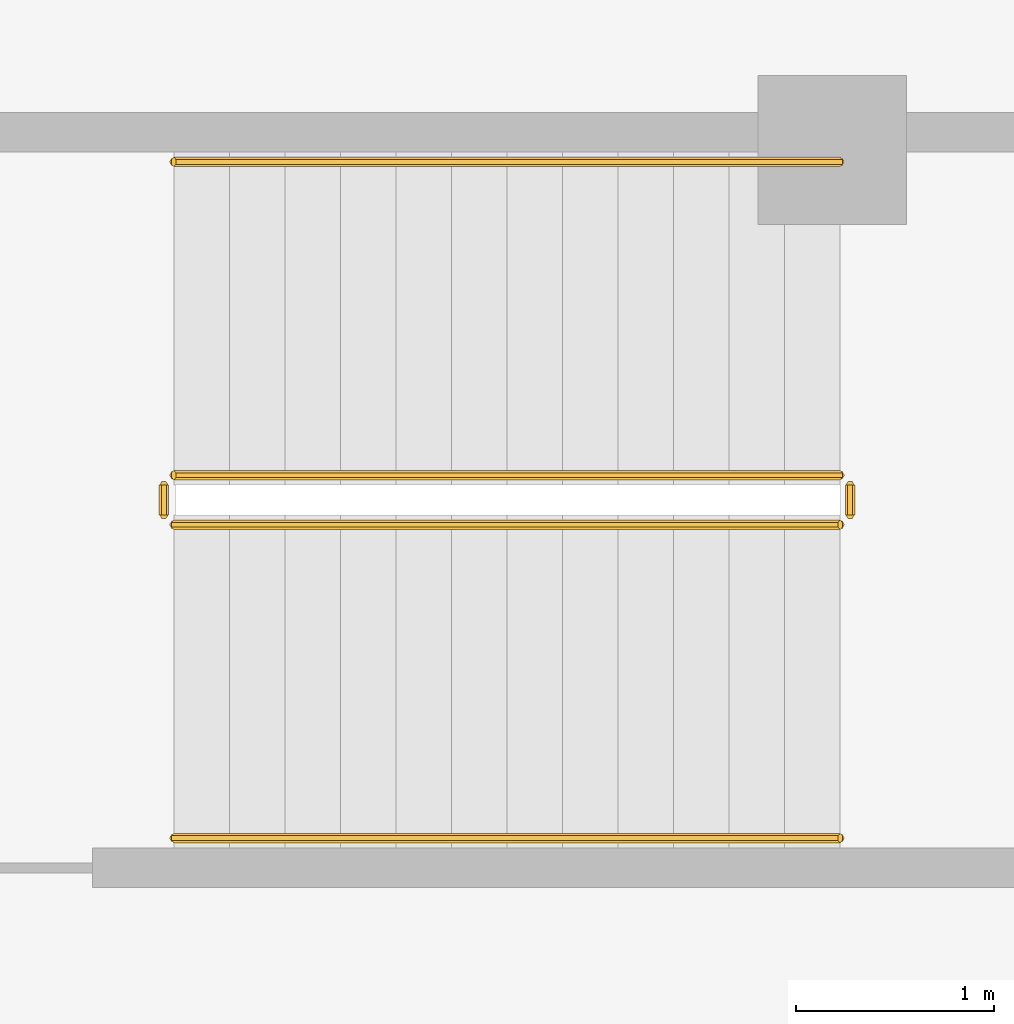
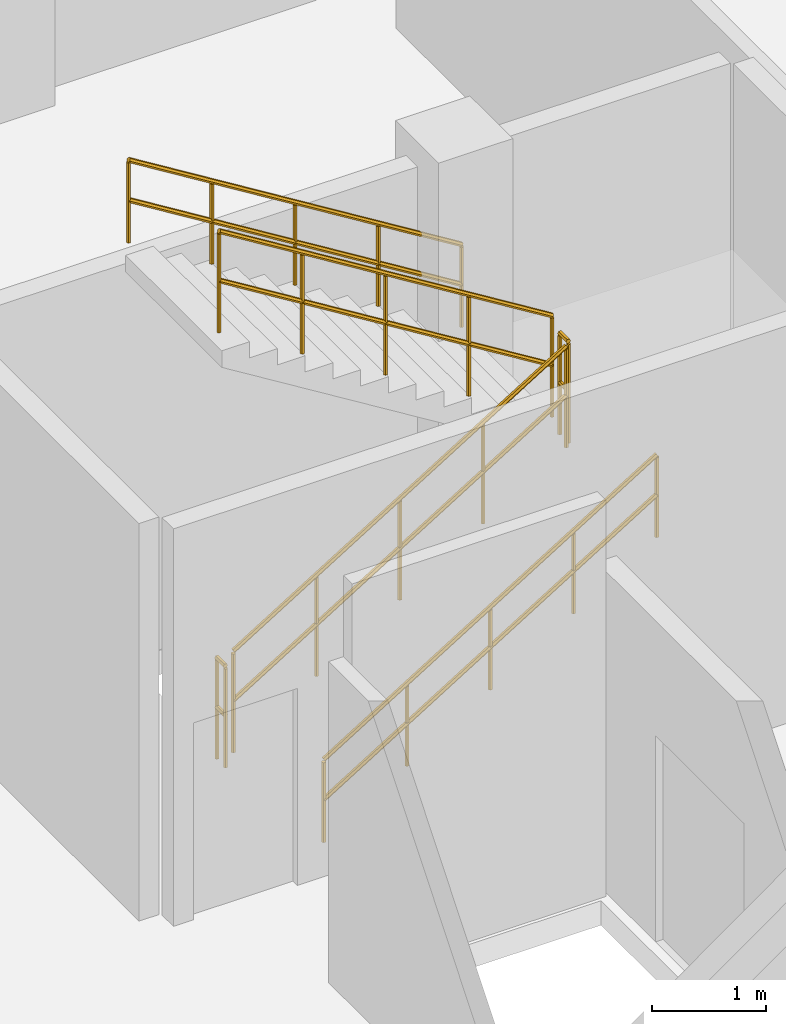
# One storey, part 52 of 53: 6 railings.
"""IFC4 building model written with IfcOpenShell, lengths in metres."""

from ifc_helpers import new_model, si_unit, direction, frame, origin, place, context, subcontext, project, spatial, polyline, outline, extrude, material, type_object, element, save


model = new_model("IFC4")

# Units and contexts
model_context = context("Model", 3, precision=1e-05, world=origin(), true_north=direction((0.0, 1.0)))
body_context = subcontext(model_context, "Body", "Model", "MODEL_VIEW")
ifc_project = project(units=[si_unit("LENGTHUNIT", "METRE"), si_unit("AREAUNIT", "SQUARE_METRE"), si_unit("VOLUMEUNIT", "CUBIC_METRE"), si_unit("PLANEANGLEUNIT", "RADIAN"), si_unit("MASSUNIT", "GRAM", prefix="KILO")], contexts=[model_context])

# Site, building, storey
site_placement = place(None, origin())
site = spatial("IfcSite", under=ifc_project, at=site_placement, CompositionType="ELEMENT")
building_placement = place(site_placement, origin())
building = spatial("IfcBuilding", under=site, at=building_placement, Name="Kelanora Arch Commons", CompositionType="ELEMENT")
storey_placement = place(building_placement, frame((0.0, 0.0, 9.0)))
storey = spatial("IfcBuildingStorey", under=building, at=storey_placement, Name="L02", CompositionType="ELEMENT", Elevation=9.0)

# Railings
ifc_material_1 = material(Name="Painted steel stair well guard", Category="steel")
railing_type_1 = type_object("IfcRailingType", Name="RAIL-STAIR-GRD", PredefinedType="GUARDRAIL", material=ifc_material_1)
railing_1_placement = place(storey_placement, frame((8.679931640625, 72.110107421875, 0.173095703125)))
element("IfcRailing", 1, at=railing_1_placement, inside=storey, type_object=railing_type_1, Name="L02 ST-M3 stair guard 1", PredefinedType="GUARDRAIL", context=body_context, shape_type="SweptSolid", body=[
    extrude(outline(polyline([(0.02392578125, 0.0), (0.011962890625, 0.020751953125), (-0.011962890625, 0.020751953125), (-0.02392578125, 0.0), (-0.011962890625, -0.020751953125), (0.011962890625, -0.020751953125), (0.02392578125, 0.0)])), frame((0.0, 0.0, 1.076171875), z_axis=(0.850623216509, 0.0, 0.525775754039), x_axis=(0.0, 1.0, 0.0)), (0.0, 0.0, 1.0), 3.9501953125),
    extrude(outline(polyline([(0.02392578125, 0.0), (0.011962890625, 0.020751953125), (-0.011962890625, 0.020751953125), (-0.02392578125, 0.0), (-0.011962890625, -0.020751953125), (0.011962890625, -0.020751953125), (0.02392578125, 0.0)])), frame((0.0, 0.0, 0.550048828125), z_axis=(0.850623216509, 0.0, 0.525775754039), x_axis=(0.0, 1.0, 0.0)), (0.0, 0.0, 1.0), 3.9501953125),
    extrude(outline(polyline([(0.02099609375, 0.0), (0.010498046875, 0.01806640625), (-0.010498046875, 0.01806640625), (-0.02099609375, 0.0), (-0.010498046875, -0.01806640625), (0.010498046875, -0.01806640625), (0.02099609375, 0.0)])), origin(), (0.0, 0.0, 1.0), 1.052001953125),
    extrude(outline(polyline([(0.02099609375, 0.0), (0.010498046875, 0.01806640625), (-0.010498046875, 0.01806640625), (-0.02099609375, 0.0), (-0.010498046875, -0.01806640625), (0.010498046875, -0.01806640625), (0.02099609375, 0.0)])), frame((0.840087890625, 0.0, 0.519287109375)), (0.0, 0.0, 1.0), 1.052001953125),
    extrude(outline(polyline([(0.02099609375, 0.0), (0.010498046875, 0.01806640625), (-0.010498046875, 0.01806640625), (-0.02099609375, 0.0), (-0.010498046875, -0.01806640625), (0.010498046875, -0.01806640625), (0.02099609375, 0.0)])), frame((1.68017578125, 0.0, 1.03857421875)), (0.0, 0.0, 1.0), 1.052001953125),
    extrude(outline(polyline([(0.02099609375, 0.0), (0.010498046875, 0.01806640625), (-0.010498046875, 0.01806640625), (-0.02099609375, 0.0), (-0.010498046875, -0.01806640625), (0.010498046875, -0.01806640625), (0.02099609375, 0.0)])), frame((2.52001953125, 0.0, 1.5576171875)), (0.0, 0.0, 1.0), 1.052001953125),
    extrude(outline(polyline([(0.02099609375, 0.0), (0.010498046875, 0.01806640625), (-0.010498046875, 0.01806640625), (-0.02099609375, 0.0), (-0.010498046875, -0.01806640625), (0.010498046875, -0.01806640625), (0.02099609375, 0.0)])), frame((3.360107421875, 0.0, 2.076904296875)), (0.0, 0.0, 1.0), 1.052001953125),
])
railing_2_placement = place(storey_placement, frame((12.090087890625, 72.159912109375, 2.25)))
element("IfcRailing", 2, at=railing_2_placement, inside=storey, type_object=railing_type_1, Name="L02 ST-M3 stair guard 2", PredefinedType="GUARDRAIL", context=body_context, shape_type="SweptSolid", body=[
    extrude(outline(polyline([(0.02392578125, 0.0), (0.011962890625, 0.020751953125), (-0.011962890625, 0.020751953125), (-0.02392578125, 0.0), (-0.011962890625, -0.020751953125), (0.011962890625, -0.020751953125), (0.02392578125, 0.0)])), frame((0.0, 0.0, 1.076171875), z_axis=(0.0, 1.0, 0.0), x_axis=(-1.0, 0.0, 0.0)), (0.0, 0.0, 1.0), 0.150146484375),
    extrude(outline(polyline([(0.02392578125, 0.0), (0.011962890625, 0.020751953125), (-0.011962890625, 0.020751953125), (-0.02392578125, 0.0), (-0.011962890625, -0.020751953125), (0.011962890625, -0.020751953125), (0.02392578125, 0.0)])), frame((0.0, 0.0, 0.550048828125), z_axis=(0.0, 1.0, 0.0), x_axis=(-1.0, 0.0, 0.0)), (0.0, 0.0, 1.0), 0.150146484375),
    extrude(outline(polyline([(0.02099609375, 0.0), (0.010498046875, 0.01806640625), (-0.010498046875, 0.01806640625), (-0.02099609375, 0.0), (-0.010498046875, -0.01806640625), (0.010498046875, -0.01806640625), (0.02099609375, 0.0)])), origin(), (0.0, 0.0, 1.0), 1.052001953125),
    extrude(outline(polyline([(0.02099609375, 0.0), (0.010498046875, 0.01806640625), (-0.010498046875, 0.01806640625), (-0.02099609375, 0.0), (-0.010498046875, -0.01806640625), (0.010498046875, -0.01806640625), (0.02099609375, 0.0)])), frame((0.0, 0.150146484375, 0.0)), (0.0, 0.0, 1.0), 1.052001953125),
])
railing_3_placement = place(storey_placement, frame((12.0400390625, 72.360107421875, 2.423095703125)))
element("IfcRailing", 3, at=railing_3_placement, inside=storey, type_object=railing_type_1, Name="L02 ST-M3 stair guard 3", PredefinedType="GUARDRAIL", context=body_context, shape_type="SweptSolid", body=[
    extrude(outline(polyline([(0.02392578125, 0.0), (0.011962890625, 0.020751953125), (-0.011962890625, 0.020751953125), (-0.02392578125, 0.0), (-0.011962890625, -0.020751953125), (0.011962890625, -0.020751953125), (0.02392578125, 0.0)])), frame((0.0, 0.0, 1.076171875), z_axis=(-0.850623216509, 0.0, 0.525775754039), x_axis=(0.0, -1.0, 0.0)), (0.0, 0.0, 1.0), 3.9501953125),
    extrude(outline(polyline([(0.02392578125, 0.0), (0.011962890625, 0.020751953125), (-0.011962890625, 0.020751953125), (-0.02392578125, 0.0), (-0.011962890625, -0.020751953125), (0.011962890625, -0.020751953125), (0.02392578125, 0.0)])), frame((0.0, 0.0, 0.550048828125), z_axis=(-0.850623216509, 0.0, 0.525775754039), x_axis=(0.0, -1.0, 0.0)), (0.0, 0.0, 1.0), 3.9501953125),
    extrude(outline(polyline([(0.02099609375, 0.0), (0.010498046875, 0.01806640625), (-0.010498046875, 0.01806640625), (-0.02099609375, 0.0), (-0.010498046875, -0.01806640625), (0.010498046875, -0.01806640625), (0.02099609375, 0.0)])), origin(), (0.0, 0.0, 1.0), 1.052001953125),
    extrude(outline(polyline([(0.02099609375, 0.0), (0.010498046875, 0.01806640625), (-0.010498046875, 0.01806640625), (-0.02099609375, 0.0), (-0.010498046875, -0.01806640625), (0.010498046875, -0.01806640625), (0.02099609375, 0.0)])), frame((-0.840087890625, 0.0, 0.519287109375)), (0.0, 0.0, 1.0), 1.052001953125),
    extrude(outline(polyline([(0.02099609375, 0.0), (0.010498046875, 0.01806640625), (-0.010498046875, 0.01806640625), (-0.02099609375, 0.0), (-0.010498046875, -0.01806640625), (0.010498046875, -0.01806640625), (0.02099609375, 0.0)])), frame((-1.68017578125, 0.0, 1.03857421875)), (0.0, 0.0, 1.0), 1.052001953125),
    extrude(outline(polyline([(0.02099609375, 0.0), (0.010498046875, 0.01806640625), (-0.010498046875, 0.01806640625), (-0.02099609375, 0.0), (-0.010498046875, -0.01806640625), (0.010498046875, -0.01806640625), (0.02099609375, 0.0)])), frame((-2.52001953125, 0.0, 1.5576171875)), (0.0, 0.0, 1.0), 1.052001953125),
    extrude(outline(polyline([(0.02099609375, 0.0), (0.010498046875, 0.01806640625), (-0.010498046875, 0.01806640625), (-0.02099609375, 0.0), (-0.010498046875, -0.01806640625), (0.010498046875, -0.01806640625), (0.02099609375, 0.0)])), frame((-3.360107421875, 0.0, 2.076904296875)), (0.0, 0.0, 1.0), 1.052001953125),
])
railing_4_placement = place(storey_placement, frame((8.6298828125, 72.159912109375, 0.0)))
element("IfcRailing", 4, at=railing_4_placement, inside=storey, type_object=railing_type_1, Name="L02 ST-M3 stair guard 4", PredefinedType="GUARDRAIL", context=body_context, shape_type="SweptSolid", body=[
    extrude(outline(polyline([(0.02392578125, 0.0), (0.011962890625, 0.020751953125), (-0.011962890625, 0.020751953125), (-0.02392578125, 0.0), (-0.011962890625, -0.020751953125), (0.011962890625, -0.020751953125), (0.02392578125, 0.0)])), frame((0.0, 0.0, 1.076171875), z_axis=(0.0, 1.0, 0.0), x_axis=(-1.0, 0.0, 0.0)), (0.0, 0.0, 1.0), 0.150146484375),
    extrude(outline(polyline([(0.02392578125, 0.0), (0.011962890625, 0.020751953125), (-0.011962890625, 0.020751953125), (-0.02392578125, 0.0), (-0.011962890625, -0.020751953125), (0.011962890625, -0.020751953125), (0.02392578125, 0.0)])), frame((0.0, 0.0, 0.550048828125), z_axis=(0.0, 1.0, 0.0), x_axis=(-1.0, 0.0, 0.0)), (0.0, 0.0, 1.0), 0.150146484375),
    extrude(outline(polyline([(0.02099609375, 0.0), (0.010498046875, 0.01806640625), (-0.010498046875, 0.01806640625), (-0.02099609375, 0.0), (-0.010498046875, -0.01806640625), (0.010498046875, -0.01806640625), (0.02099609375, 0.0)])), origin(), (0.0, 0.0, 1.0), 1.052001953125),
    extrude(outline(polyline([(0.02099609375, 0.0), (0.010498046875, 0.01806640625), (-0.010498046875, 0.01806640625), (-0.02099609375, 0.0), (-0.010498046875, -0.01806640625), (0.010498046875, -0.01806640625), (0.02099609375, 0.0)])), frame((0.0, 0.150146484375, 0.0)), (0.0, 0.0, 1.0), 1.052001953125),
])
ifc_material_2 = material(Name="Brushed stainless steel stair handrail", Category="steel")
railing_type_2 = type_object("IfcRailingType", Name="RAIL-STAIR-HND", PredefinedType="HANDRAIL", material=ifc_material_2)
railing_5_placement = place(storey_placement, frame((8.679931640625, 70.530029296875, 0.173095703125)))
element("IfcRailing", 5, at=railing_5_placement, inside=storey, type_object=railing_type_2, Name="L02 ST-M3 stair handrail 1", PredefinedType="HANDRAIL", context=body_context, shape_type="SweptSolid", body=[
    extrude(outline(polyline([(0.02392578125, 0.0), (0.011962890625, 0.020751953125), (-0.011962890625, 0.020751953125), (-0.02392578125, 0.0), (-0.011962890625, -0.020751953125), (0.011962890625, -0.020751953125), (0.02392578125, 0.0)])), frame((0.0, 0.0, 0.8759765625), z_axis=(0.850623216509, 0.0, 0.525775754039), x_axis=(0.0, 1.0, 0.0)), (0.0, 0.0, 1.0), 3.9501953125),
    extrude(outline(polyline([(0.02392578125, 0.0), (0.011962890625, 0.020751953125), (-0.011962890625, 0.020751953125), (-0.02392578125, 0.0), (-0.011962890625, -0.020751953125), (0.011962890625, -0.020751953125), (0.02392578125, 0.0)])), frame((0.0, 0.0, 0.449951171875), z_axis=(0.850623216509, 0.0, 0.525775754039), x_axis=(0.0, 1.0, 0.0)), (0.0, 0.0, 1.0), 3.9501953125),
    extrude(outline(polyline([(0.02099609375, 0.0), (0.010498046875, 0.01806640625), (-0.010498046875, 0.01806640625), (-0.02099609375, 0.0), (-0.010498046875, -0.01806640625), (0.010498046875, -0.01806640625), (0.02099609375, 0.0)])), origin(), (0.0, 0.0, 1.0), 0.851806640625),
    extrude(outline(polyline([(0.02099609375, 0.0), (0.010498046875, 0.01806640625), (-0.010498046875, 0.01806640625), (-0.02099609375, 0.0), (-0.010498046875, -0.01806640625), (0.010498046875, -0.01806640625), (0.02099609375, 0.0)])), frame((0.840087890625, 0.0, 0.519287109375)), (0.0, 0.0, 1.0), 0.851806640625),
    extrude(outline(polyline([(0.02099609375, 0.0), (0.010498046875, 0.01806640625), (-0.010498046875, 0.01806640625), (-0.02099609375, 0.0), (-0.010498046875, -0.01806640625), (0.010498046875, -0.01806640625), (0.02099609375, 0.0)])), frame((1.68017578125, 0.0, 1.03857421875)), (0.0, 0.0, 1.0), 0.851806640625),
    extrude(outline(polyline([(0.02099609375, 0.0), (0.010498046875, 0.01806640625), (-0.010498046875, 0.01806640625), (-0.02099609375, 0.0), (-0.010498046875, -0.01806640625), (0.010498046875, -0.01806640625), (0.02099609375, 0.0)])), frame((2.52001953125, 0.0, 1.5576171875)), (0.0, 0.0, 1.0), 0.851806640625),
    extrude(outline(polyline([(0.02099609375, 0.0), (0.010498046875, 0.01806640625), (-0.010498046875, 0.01806640625), (-0.02099609375, 0.0), (-0.010498046875, -0.01806640625), (0.010498046875, -0.01806640625), (0.02099609375, 0.0)])), frame((3.360107421875, 0.0, 2.076904296875)), (0.0, 0.0, 1.0), 0.851806640625),
])
railing_6_placement = place(storey_placement, frame((12.0400390625, 73.93994140625, 2.423095703125)))
element("IfcRailing", 6, at=railing_6_placement, inside=storey, type_object=railing_type_2, Name="L02 ST-M3 stair handrail 2", PredefinedType="HANDRAIL", context=body_context, shape_type="SweptSolid", body=[
    extrude(outline(polyline([(0.02392578125, 0.0), (0.011962890625, 0.020751953125), (-0.011962890625, 0.020751953125), (-0.02392578125, 0.0), (-0.011962890625, -0.020751953125), (0.011962890625, -0.020751953125), (0.02392578125, 0.0)])), frame((0.0, 0.0, 0.8759765625), z_axis=(-0.850623216509, 0.0, 0.525775754039), x_axis=(0.0, -1.0, 0.0)), (0.0, 0.0, 1.0), 3.9501953125),
    extrude(outline(polyline([(0.02392578125, 0.0), (0.011962890625, 0.020751953125), (-0.011962890625, 0.020751953125), (-0.02392578125, 0.0), (-0.011962890625, -0.020751953125), (0.011962890625, -0.020751953125), (0.02392578125, 0.0)])), frame((0.0, 0.0, 0.449951171875), z_axis=(-0.850623216509, 0.0, 0.525775754039), x_axis=(0.0, -1.0, 0.0)), (0.0, 0.0, 1.0), 3.9501953125),
    extrude(outline(polyline([(0.02099609375, 0.0), (0.010498046875, 0.01806640625), (-0.010498046875, 0.01806640625), (-0.02099609375, 0.0), (-0.010498046875, -0.01806640625), (0.010498046875, -0.01806640625), (0.02099609375, 0.0)])), origin(), (0.0, 0.0, 1.0), 0.851806640625),
    extrude(outline(polyline([(0.02099609375, 0.0), (0.010498046875, 0.01806640625), (-0.010498046875, 0.01806640625), (-0.02099609375, 0.0), (-0.010498046875, -0.01806640625), (0.010498046875, -0.01806640625), (0.02099609375, 0.0)])), frame((-0.840087890625, 0.0, 0.519287109375)), (0.0, 0.0, 1.0), 0.851806640625),
    extrude(outline(polyline([(0.02099609375, 0.0), (0.010498046875, 0.01806640625), (-0.010498046875, 0.01806640625), (-0.02099609375, 0.0), (-0.010498046875, -0.01806640625), (0.010498046875, -0.01806640625), (0.02099609375, 0.0)])), frame((-1.68017578125, 0.0, 1.03857421875)), (0.0, 0.0, 1.0), 0.851806640625),
    extrude(outline(polyline([(0.02099609375, 0.0), (0.010498046875, 0.01806640625), (-0.010498046875, 0.01806640625), (-0.02099609375, 0.0), (-0.010498046875, -0.01806640625), (0.010498046875, -0.01806640625), (0.02099609375, 0.0)])), frame((-2.52001953125, 0.0, 1.5576171875)), (0.0, 0.0, 1.0), 0.851806640625),
    extrude(outline(polyline([(0.02099609375, 0.0), (0.010498046875, 0.01806640625), (-0.010498046875, 0.01806640625), (-0.02099609375, 0.0), (-0.010498046875, -0.01806640625), (0.010498046875, -0.01806640625), (0.02099609375, 0.0)])), frame((-3.360107421875, 0.0, 2.076904296875)), (0.0, 0.0, 1.0), 0.851806640625),
])

save(model, "model.ifc")
